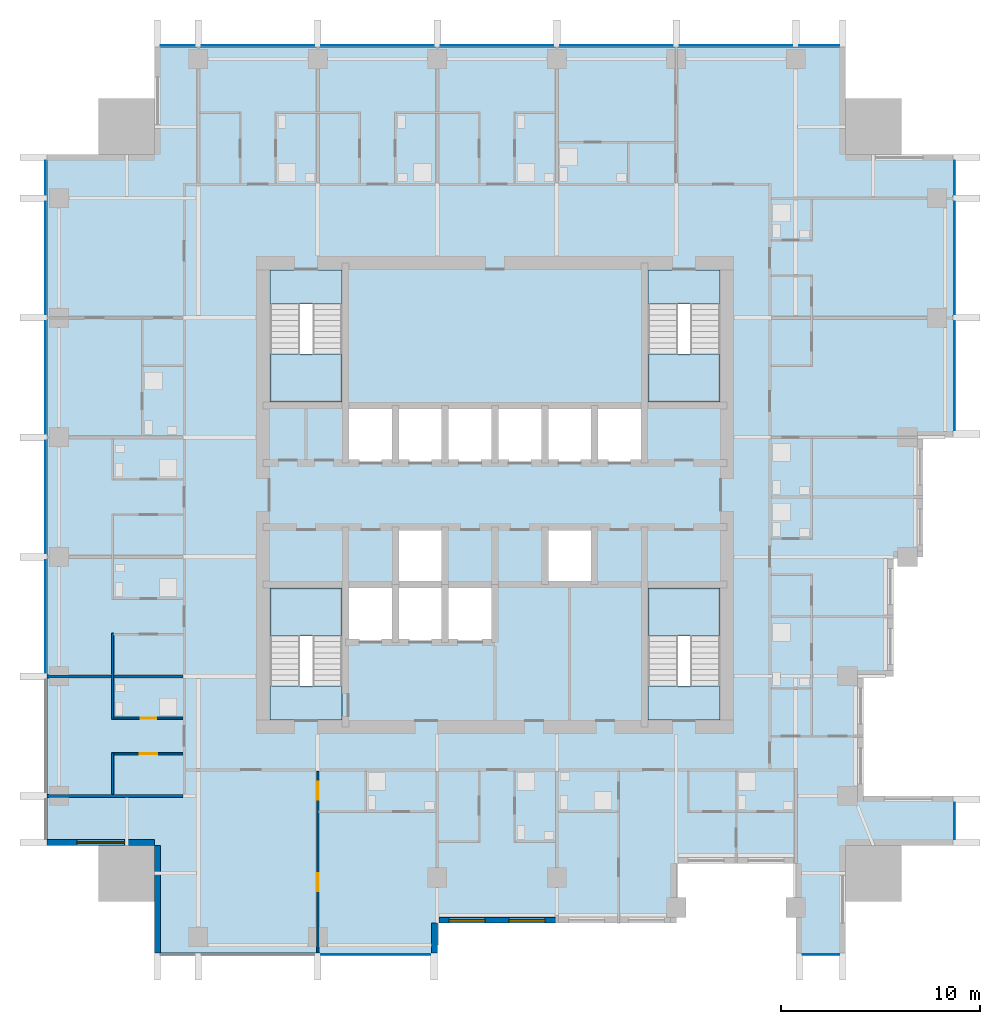
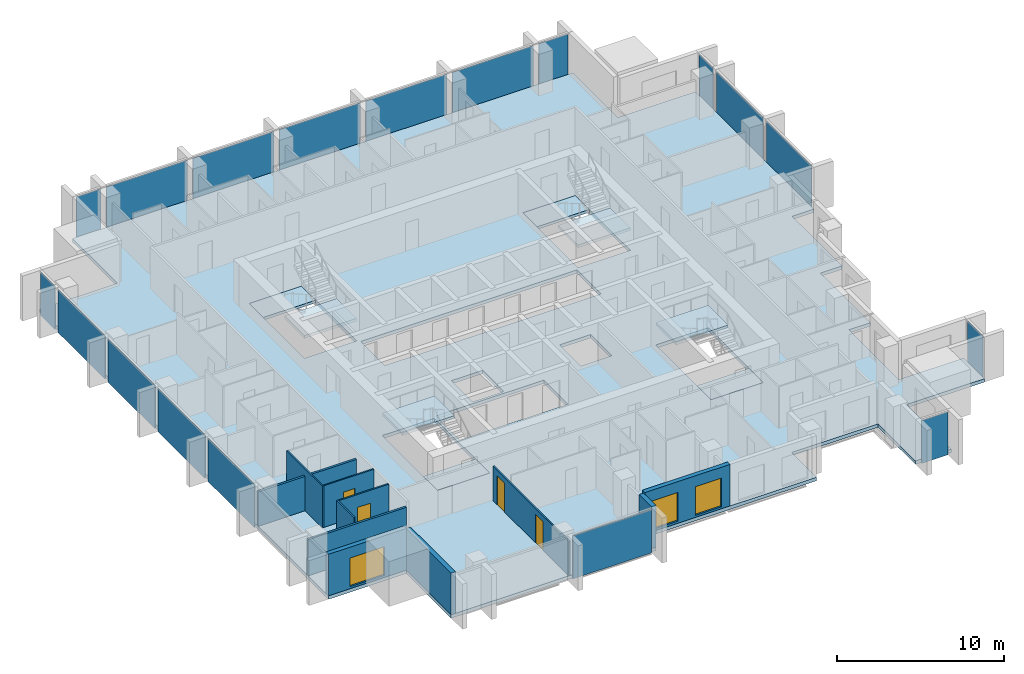
# One storey, part 3 of 11: 18 plates, 11 walls, 9 slabs, 4 doors, 3 windows, 7 openings, 10 elements without a shape of their own.
"""IFC4 building model written with IfcOpenShell, lengths in metres."""

from ifc_helpers import new_model, si_unit, direction, frame, frame_2d, origin, origin_2d, place, context, subcontext, project, spatial, polyline, rectangle, outline, extrude, material, layer, layer_set, type_object, element, fill, aggregate, save


model = new_model("IFC4")

# Units and contexts
model_context = context("Model", 3, precision=1e-05, world=origin(), true_north=direction((0.0, 1.0)))
body_context = subcontext(model_context, "Body", "Model", "MODEL_VIEW")
ifc_project = project(units=[si_unit("LENGTHUNIT", "METRE"), si_unit("AREAUNIT", "SQUARE_METRE"), si_unit("VOLUMEUNIT", "CUBIC_METRE"), si_unit("PLANEANGLEUNIT", "RADIAN"), si_unit("MASSUNIT", "GRAM", prefix="KILO")], contexts=[model_context])

# Site, building, storey
site_placement = place(None, origin())
site = spatial("IfcSite", under=ifc_project, at=site_placement, CompositionType="ELEMENT")
building_placement = place(site_placement, origin())
building = spatial("IfcBuilding", under=site, at=building_placement, Name="Amberfall Residences", CompositionType="ELEMENT")
storey_placement = place(building_placement, frame((0.0, 0.0, 161.5)))
storey = spatial("IfcBuildingStorey", under=building, at=storey_placement, Name="L43", CompositionType="ELEMENT", Elevation=161.5)

# Curtain wall, plate
ifc_material_1 = material(Name="Bronze anodised aluminium and glass", Category="aluminium")
curtain_wall_type = type_object("IfcCurtainWallType", Name="Curtain wall CW1 tower unit", PredefinedType="USERDEFINED", material=ifc_material_1)
curtain_wall_1_placement = place(storey_placement, origin())
curtain_wall_1 = element("IfcCurtainWall", 1, at=curtain_wall_1_placement, inside=storey, type_object=curtain_wall_type, Name="Curtain wall L43 S S1", ObjectType="UNITISED CURTAIN WALL", PredefinedType="USERDEFINED")
ifc_material_2 = material(Name="Tinted double glazed unit", Category="glass")
ifc_layer_1 = layer(ifc_material_2, 0.035888671875)
ifc_layer_set_1 = layer_set([ifc_layer_1], Name="CW1 panel 36 glazing")
plate_type = type_object("IfcPlateType", Name="CW1 panel 36 glazing", PredefinedType="CURTAIN_PANEL", material=ifc_layer_set_1)
plate_1_placement = place(storey_placement, frame((68.512451171875, 22.425048828125, -0.25), z_axis=(0.0, 0.0, 1.0), x_axis=(1.0, 0.0, 0.0)))
plate_1 = element("IfcPlate", 2, at=plate_1_placement, type_object=plate_type, Name="CW1 panel 3.1", PredefinedType="CURTAIN_PANEL", context=body_context, shape_type="SweptSolid", body=[
    extrude(rectangle(XDim=5.450927734375, YDim=0.035888671875, at=origin_2d()), origin(), (0.0, 0.0, 1.0), 3.14990234375),
])
aggregate(curtain_wall_1, [plate_1])

curtain_wall_2_placement = place(storey_placement, origin())
curtain_wall_2 = element("IfcCurtainWall", 3, at=curtain_wall_2_placement, inside=storey, type_object=curtain_wall_type, Name="Curtain wall L43 S S8", ObjectType="UNITISED CURTAIN WALL", PredefinedType="USERDEFINED")
plate_2_placement = place(storey_placement, frame((90.875, 22.425048828125, -0.25), z_axis=(0.0, 0.0, 1.0), x_axis=(1.0, 0.0, 0.0)))
plate_2 = element("IfcPlate", 4, at=plate_2_placement, type_object=plate_type, Name="CW1 panel 1.1", PredefinedType="CURTAIN_PANEL", context=body_context, shape_type="SweptSolid", body=[
    extrude(rectangle(XDim=1.825927734375, YDim=0.035888671875, at=origin_2d()), origin(), (0.0, 0.0, 1.0), 3.14990234375),
])
aggregate(curtain_wall_2, [plate_2])

curtain_wall_3_placement = place(storey_placement, origin())
curtain_wall_3 = element("IfcCurtainWall", 5, at=curtain_wall_3_placement, inside=storey, type_object=curtain_wall_type, Name="Curtain wall L43 E E1", ObjectType="UNITISED CURTAIN WALL", PredefinedType="USERDEFINED")
plate_3_placement = place(storey_placement, frame((97.574951171875, 29.125, -0.25), z_axis=(0.0, 0.0, 1.0), x_axis=(0.0, 1.0, 0.0)))
plate_3 = element("IfcPlate", 6, at=plate_3_placement, type_object=plate_type, Name="CW1 panel 1.1", PredefinedType="CURTAIN_PANEL", context=body_context, shape_type="SweptSolid", body=[
    extrude(rectangle(XDim=1.825927734375, YDim=0.035888671875, at=origin_2d()), origin(), (0.0, 0.0, 1.0), 3.14990234375),
])
aggregate(curtain_wall_3, [plate_3])

# Curtain wall, plates
curtain_wall_4_placement = place(storey_placement, origin())
curtain_wall_4 = element("IfcCurtainWall", 7, at=curtain_wall_4_placement, inside=storey, type_object=curtain_wall_type, Name="Curtain wall L43 E E9", ObjectType="UNITISED CURTAIN WALL", PredefinedType="USERDEFINED")
plate_4_placement = place(storey_placement, frame((97.574951171875, 51.487548828125, -0.25), z_axis=(0.0, 0.0, 1.0), x_axis=(0.0, 1.0, 0.0)))
plate_4 = element("IfcPlate", 8, at=plate_4_placement, type_object=plate_type, Name="CW1 panel 1.1", PredefinedType="CURTAIN_PANEL", context=body_context, shape_type="SweptSolid", body=[
    extrude(rectangle(XDim=5.450927734375, YDim=0.035888671875, at=origin_2d()), origin(), (0.0, 0.0, 1.0), 3.14990234375),
])
plate_5_placement = place(storey_placement, frame((97.574951171875, 57.39990234375, -0.25), z_axis=(0.0, 0.0, 1.0), x_axis=(0.0, 1.0, 0.0)))
plate_5 = element("IfcPlate", 9, at=plate_5_placement, type_object=plate_type, Name="CW1 panel 2.1", PredefinedType="CURTAIN_PANEL", context=body_context, shape_type="SweptSolid", body=[
    extrude(rectangle(XDim=5.6259765625, YDim=0.035888671875, at=origin_2d()), origin(), (0.0, 0.0, 1.0), 3.14990234375),
])
plate_6_placement = place(storey_placement, frame((97.574951171875, 61.4375, -0.25), z_axis=(0.0, 0.0, 1.0), x_axis=(0.0, 1.0, 0.0)))
plate_6 = element("IfcPlate", 10, at=plate_6_placement, type_object=plate_type, Name="CW1 panel 3.1", PredefinedType="CURTAIN_PANEL", context=body_context, shape_type="SweptSolid", body=[
    extrude(rectangle(XDim=1.700927734375, YDim=0.035888671875, at=origin_2d()), origin(), (0.0, 0.0, 1.0), 3.14990234375),
])
aggregate(curtain_wall_4, [plate_4, plate_5, plate_6])

curtain_wall_5_placement = place(storey_placement, origin())
curtain_wall_5 = element("IfcCurtainWall", 11, at=curtain_wall_5_placement, inside=storey, type_object=curtain_wall_type, Name="Curtain wall L43 N N1", ObjectType="UNITISED CURTAIN WALL", PredefinedType="USERDEFINED")
plate_7_placement = place(storey_placement, frame((90.78759765625, 68.074951171875, -0.25), z_axis=(0.0, 0.0, 1.0), x_axis=(-1.0, 0.0, 0.0)))
plate_7 = element("IfcPlate", 12, at=plate_7_placement, type_object=plate_type, Name="CW1 panel 1.1", PredefinedType="CURTAIN_PANEL", context=body_context, shape_type="SweptSolid", body=[
    extrude(rectangle(XDim=2.0009765625, YDim=0.035888671875, at=origin_2d()), origin(), (0.0, 0.0, 1.0), 3.14990234375),
])
plate_8_placement = place(storey_placement, frame((86.60009765625, 68.074951171875, -0.25), z_axis=(0.0, 0.0, 1.0), x_axis=(-1.0, 0.0, 0.0)))
plate_8 = element("IfcPlate", 13, at=plate_8_placement, type_object=plate_type, Name="CW1 panel 2.1", PredefinedType="CURTAIN_PANEL", context=body_context, shape_type="SweptSolid", body=[
    extrude(rectangle(XDim=5.6259765625, YDim=0.035888671875, at=origin_2d()), origin(), (0.0, 0.0, 1.0), 3.14990234375),
])
plate_9_placement = place(storey_placement, frame((80.60009765625, 68.074951171875, -0.25), z_axis=(0.0, 0.0, 1.0), x_axis=(-1.0, 0.0, 0.0)))
plate_9 = element("IfcPlate", 14, at=plate_9_placement, type_object=plate_type, Name="CW1 panel 3.1", PredefinedType="CURTAIN_PANEL", context=body_context, shape_type="SweptSolid", body=[
    extrude(rectangle(XDim=5.6259765625, YDim=0.035888671875, at=origin_2d()), origin(), (0.0, 0.0, 1.0), 3.14990234375),
])
plate_10_placement = place(storey_placement, frame((74.60009765625, 68.074951171875, -0.25), z_axis=(0.0, 0.0, 1.0), x_axis=(-1.0, 0.0, 0.0)))
plate_10 = element("IfcPlate", 15, at=plate_10_placement, type_object=plate_type, Name="CW1 panel 4.1", PredefinedType="CURTAIN_PANEL", context=body_context, shape_type="SweptSolid", body=[
    extrude(rectangle(XDim=5.6259765625, YDim=0.035888671875, at=origin_2d()), origin(), (0.0, 0.0, 1.0), 3.14990234375),
])
plate_11_placement = place(storey_placement, frame((68.60009765625, 68.074951171875, -0.25), z_axis=(0.0, 0.0, 1.0), x_axis=(-1.0, 0.0, 0.0)))
plate_11 = element("IfcPlate", 16, at=plate_11_placement, type_object=plate_type, Name="CW1 panel 5.1", PredefinedType="CURTAIN_PANEL", context=body_context, shape_type="SweptSolid", body=[
    extrude(rectangle(XDim=5.6259765625, YDim=0.035888671875, at=origin_2d()), origin(), (0.0, 0.0, 1.0), 3.14990234375),
])
plate_12_placement = place(storey_placement, frame((62.60009765625, 68.074951171875, -0.25), z_axis=(0.0, 0.0, 1.0), x_axis=(-1.0, 0.0, 0.0)))
plate_12 = element("IfcPlate", 17, at=plate_12_placement, type_object=plate_type, Name="CW1 panel 6.1", PredefinedType="CURTAIN_PANEL", context=body_context, shape_type="SweptSolid", body=[
    extrude(rectangle(XDim=5.6259765625, YDim=0.035888671875, at=origin_2d()), origin(), (0.0, 0.0, 1.0), 3.14990234375),
])
plate_13_placement = place(storey_placement, frame((58.5625, 68.074951171875, -0.25), z_axis=(0.0, 0.0, 1.0), x_axis=(-1.0, 0.0, 0.0)))
plate_13 = element("IfcPlate", 18, at=plate_13_placement, type_object=plate_type, Name="CW1 panel 7.1", PredefinedType="CURTAIN_PANEL", context=body_context, shape_type="SweptSolid", body=[
    extrude(rectangle(XDim=1.700927734375, YDim=0.035888671875, at=origin_2d()), origin(), (0.0, 0.0, 1.0), 3.14990234375),
])
aggregate(curtain_wall_5, [plate_7, plate_8, plate_9, plate_10, plate_11, plate_12, plate_13])

curtain_wall_6_placement = place(storey_placement, origin())
curtain_wall_6 = element("IfcCurtainWall", 19, at=curtain_wall_6_placement, inside=storey, type_object=curtain_wall_type, Name="Curtain wall L43 W W1", ObjectType="UNITISED CURTAIN WALL", PredefinedType="USERDEFINED")
plate_14_placement = place(storey_placement, frame((51.925048828125, 61.4375, -0.25), z_axis=(0.0, 0.0, 1.0), x_axis=(0.0, -1.0, 0.0)))
plate_14 = element("IfcPlate", 20, at=plate_14_placement, type_object=plate_type, Name="CW1 panel 1.1", PredefinedType="CURTAIN_PANEL", context=body_context, shape_type="SweptSolid", body=[
    extrude(rectangle(XDim=1.700927734375, YDim=0.035888671875, at=origin_2d()), origin(), (0.0, 0.0, 1.0), 3.14990234375),
])
plate_15_placement = place(storey_placement, frame((51.925048828125, 57.39990234375, -0.25), z_axis=(0.0, 0.0, 1.0), x_axis=(0.0, -1.0, 0.0)))
plate_15 = element("IfcPlate", 21, at=plate_15_placement, type_object=plate_type, Name="CW1 panel 2.1", PredefinedType="CURTAIN_PANEL", context=body_context, shape_type="SweptSolid", body=[
    extrude(rectangle(XDim=5.6259765625, YDim=0.035888671875, at=origin_2d()), origin(), (0.0, 0.0, 1.0), 3.14990234375),
])
plate_16_placement = place(storey_placement, frame((51.925048828125, 51.39990234375, -0.25), z_axis=(0.0, 0.0, 1.0), x_axis=(0.0, -1.0, 0.0)))
plate_16 = element("IfcPlate", 22, at=plate_16_placement, type_object=plate_type, Name="CW1 panel 3.1", PredefinedType="CURTAIN_PANEL", context=body_context, shape_type="SweptSolid", body=[
    extrude(rectangle(XDim=5.6259765625, YDim=0.035888671875, at=origin_2d()), origin(), (0.0, 0.0, 1.0), 3.14990234375),
])
plate_17_placement = place(storey_placement, frame((51.925048828125, 45.39990234375, -0.25), z_axis=(0.0, 0.0, 1.0), x_axis=(0.0, -1.0, 0.0)))
plate_17 = element("IfcPlate", 23, at=plate_17_placement, type_object=plate_type, Name="CW1 panel 4.1", PredefinedType="CURTAIN_PANEL", context=body_context, shape_type="SweptSolid", body=[
    extrude(rectangle(XDim=5.6259765625, YDim=0.035888671875, at=origin_2d()), origin(), (0.0, 0.0, 1.0), 3.14990234375),
])
plate_18_placement = place(storey_placement, frame((51.925048828125, 39.39990234375, -0.25), z_axis=(0.0, 0.0, 1.0), x_axis=(0.0, -1.0, 0.0)))
plate_18 = element("IfcPlate", 24, at=plate_18_placement, type_object=plate_type, Name="CW1 panel 5.1", PredefinedType="CURTAIN_PANEL", context=body_context, shape_type="SweptSolid", body=[
    extrude(rectangle(XDim=5.6259765625, YDim=0.035888671875, at=origin_2d()), origin(), (0.0, 0.0, 1.0), 3.14990234375),
])
aggregate(curtain_wall_6, [plate_14, plate_15, plate_16, plate_17, plate_18])

# Slab
ifc_material_3 = material(Name="Concrete C60", Category="concrete")
ifc_layer_2 = layer(ifc_material_3, 0.25)
ifc_layer_set_2 = layer_set([ifc_layer_2], Name="Floor slab 250 C60")
slab_type_1 = type_object("IfcSlabType", Name="Floor slab 250 C60", PredefinedType="FLOOR", material=ifc_layer_set_2)
slab_1_placement = place(storey_placement, frame((0.0, 0.0, -0.25)))
element("IfcSlab", 25, at=slab_1_placement, inside=storey, type_object=slab_type_1, Name="Floor slab S10 L43", PredefinedType="FLOOR", context=body_context, shape_type="SweptSolid", body=[
    extrude(outline(polyline([(89.60009765625, 22.5), (89.60009765625, 27.0), (83.60009765625, 27.0), (83.60009765625, 24.0), (77.60009765625, 24.0), (71.60009765625, 24.0), (71.60009765625, 22.5), (57.39990234375, 22.5), (57.39990234375, 27.89990234375), (52.0, 27.89990234375), (52.0, 62.60009765625), (57.39990234375, 62.60009765625), (57.39990234375, 68.0), (92.10009765625, 68.0), (92.10009765625, 62.60009765625), (97.5, 62.60009765625), (97.5, 48.39990234375), (96.0, 48.39990234375), (96.0, 42.39990234375), (94.5, 42.39990234375), (94.5, 36.39990234375), (93.0, 36.39990234375), (93.0, 30.39990234375), (97.5, 30.39990234375), (97.5, 27.89990234375), (92.10009765625, 27.89990234375), (92.10009765625, 22.5), (89.60009765625, 22.5)]), holes=[polyline([(85.800048828125, 34.199951171875), (85.800048828125, 40.824951171875), (82.175048828125, 40.824951171875), (82.175048828125, 34.199951171875), (85.800048828125, 34.199951171875)]), polyline([(85.800048828125, 50.175048828125), (85.800048828125, 56.800048828125), (82.175048828125, 56.800048828125), (82.175048828125, 50.175048828125), (85.800048828125, 50.175048828125)]), polyline([(72.0, 50.0), (69.5, 50.0), (67.0, 50.0), (67.0, 47.10009765625), (69.5, 47.10009765625), (72.0, 47.10009765625), (74.5, 47.10009765625), (77.0, 47.10009765625), (79.5, 47.10009765625), (82.0, 47.10009765625), (82.0, 50.0), (79.5, 50.0), (77.0, 50.0), (74.5, 50.0), (72.0, 50.0)]), polyline([(79.324951171875, 41.175048828125), (79.324951171875, 43.72509765625), (77.175048828125, 43.72509765625), (77.175048828125, 41.175048828125), (79.324951171875, 41.175048828125)]), polyline([(69.5, 41.0), (67.0, 41.0), (67.0, 38.10009765625), (69.5, 38.10009765625), (72.0, 38.10009765625), (74.5, 38.10009765625), (74.5, 41.0), (72.0, 41.0), (69.5, 41.0)]), polyline([(71.824951171875, 41.175048828125), (71.824951171875, 43.72509765625), (69.675048828125, 43.72509765625), (69.675048828125, 41.175048828125), (71.824951171875, 41.175048828125)]), polyline([(66.824951171875, 50.175048828125), (66.824951171875, 56.800048828125), (63.199951171875, 56.800048828125), (63.199951171875, 50.175048828125), (66.824951171875, 50.175048828125)]), polyline([(66.824951171875, 40.824951171875), (63.199951171875, 40.824951171875), (63.199951171875, 34.199951171875), (66.824951171875, 34.199951171875), (66.824951171875, 40.824951171875)])]), origin(), (0.0, 0.0, 1.0), 0.25),
])

# Stair, slabs
ifc_material_4 = material(Name="Concrete C40", Category="concrete")
stair_type = type_object("IfcStairType", Name="Exit stair 20 risers 165.0 mm", PredefinedType="HALF_TURN_STAIR", material=ifc_material_4)
stair_1_placement = place(storey_placement, origin())
stair_1 = element("IfcStair", 26, at=stair_1_placement, inside=storey, type_object=stair_type, Name="L43 Exit stair 1", PredefinedType="HALF_TURN_STAIR")
ifc_layer_3 = layer(ifc_material_4, 0.199951171875)
ifc_layer_set_3 = layer_set([ifc_layer_3], Name="Stair landing 200")
slab_type_2 = type_object("IfcSlabType", Name="Stair landing 200", PredefinedType="LANDING", material=ifc_layer_set_3)
slab_2_placement = place(storey_placement, frame((0.0, 0.0, 1.449951171875)))
slab_2 = element("IfcSlab", 27, at=slab_2_placement, type_object=slab_type_2, Name="ST3 landing 1", PredefinedType="LANDING", context=body_context, shape_type="SweptSolid", body=[
    extrude(outline(polyline([(66.824951171875, 38.419921875), (66.824951171875, 40.824951171875), (63.199951171875, 40.824951171875), (63.199951171875, 38.419921875), (66.824951171875, 38.419921875)])), origin(), (0.0, 0.0, 1.0), 0.199951171875),
])
slab_3_placement = place(storey_placement, frame((0.0, 0.0, -0.199951171875)))
slab_3 = element("IfcSlab", 28, at=slab_3_placement, type_object=slab_type_2, Name="ST3 landing 2", PredefinedType="LANDING", context=body_context, shape_type="SweptSolid", body=[
    extrude(outline(polyline([(66.824951171875, 34.199951171875), (66.824951171875, 35.89990234375), (63.199951171875, 35.89990234375), (63.199951171875, 34.199951171875), (66.824951171875, 34.199951171875)])), origin(), (0.0, 0.0, 1.0), 0.199951171875),
])
aggregate(stair_1, [slab_2, slab_3])

stair_2_placement = place(storey_placement, origin())
stair_2 = element("IfcStair", 29, at=stair_2_placement, inside=storey, type_object=stair_type, Name="L43 Exit stair 2", PredefinedType="HALF_TURN_STAIR")
slab_4_placement = place(storey_placement, frame((0.0, 0.0, 1.449951171875)))
slab_4 = element("IfcSlab", 30, at=slab_4_placement, type_object=slab_type_2, Name="ST3 landing 1", PredefinedType="LANDING", context=body_context, shape_type="SweptSolid", body=[
    extrude(outline(polyline([(85.800048828125, 38.419921875), (85.800048828125, 40.824951171875), (82.175048828125, 40.824951171875), (82.175048828125, 38.419921875), (85.800048828125, 38.419921875)])), origin(), (0.0, 0.0, 1.0), 0.199951171875),
])
slab_5_placement = place(storey_placement, frame((0.0, 0.0, -0.199951171875)))
slab_5 = element("IfcSlab", 31, at=slab_5_placement, type_object=slab_type_2, Name="ST3 landing 2", PredefinedType="LANDING", context=body_context, shape_type="SweptSolid", body=[
    extrude(outline(polyline([(85.800048828125, 34.199951171875), (85.800048828125, 35.89990234375), (82.175048828125, 35.89990234375), (82.175048828125, 34.199951171875), (85.800048828125, 34.199951171875)])), origin(), (0.0, 0.0, 1.0), 0.199951171875),
])
aggregate(stair_2, [slab_4, slab_5])

stair_3_placement = place(storey_placement, origin())
stair_3 = element("IfcStair", 32, at=stair_3_placement, inside=storey, type_object=stair_type, Name="L43 Exit stair 3", PredefinedType="HALF_TURN_STAIR")
slab_6_placement = place(storey_placement, frame((0.0, 0.0, 1.449951171875)))
slab_6 = element("IfcSlab", 33, at=slab_6_placement, type_object=slab_type_2, Name="ST3 landing 1", PredefinedType="LANDING", context=body_context, shape_type="SweptSolid", body=[
    extrude(outline(polyline([(82.175048828125, 52.580078125), (82.175048828125, 50.175048828125), (85.800048828125, 50.175048828125), (85.800048828125, 52.580078125), (82.175048828125, 52.580078125)])), origin(), (0.0, 0.0, 1.0), 0.199951171875),
])
slab_7_placement = place(storey_placement, frame((0.0, 0.0, -0.199951171875)))
slab_7 = element("IfcSlab", 34, at=slab_7_placement, type_object=slab_type_2, Name="ST3 landing 2", PredefinedType="LANDING", context=body_context, shape_type="SweptSolid", body=[
    extrude(outline(polyline([(82.175048828125, 56.800048828125), (82.175048828125, 55.10009765625), (85.800048828125, 55.10009765625), (85.800048828125, 56.800048828125), (82.175048828125, 56.800048828125)])), origin(), (0.0, 0.0, 1.0), 0.199951171875),
])
aggregate(stair_3, [slab_6, slab_7])

stair_4_placement = place(storey_placement, origin())
stair_4 = element("IfcStair", 35, at=stair_4_placement, inside=storey, type_object=stair_type, Name="L43 Exit stair 4", PredefinedType="HALF_TURN_STAIR")
slab_8_placement = place(storey_placement, frame((0.0, 0.0, 1.449951171875)))
slab_8 = element("IfcSlab", 36, at=slab_8_placement, type_object=slab_type_2, Name="ST3 landing 1", PredefinedType="LANDING", context=body_context, shape_type="SweptSolid", body=[
    extrude(outline(polyline([(63.199951171875, 52.580078125), (63.199951171875, 50.175048828125), (66.824951171875, 50.175048828125), (66.824951171875, 52.580078125), (63.199951171875, 52.580078125)])), origin(), (0.0, 0.0, 1.0), 0.199951171875),
])
slab_9_placement = place(storey_placement, frame((0.0, 0.0, -0.199951171875)))
slab_9 = element("IfcSlab", 37, at=slab_9_placement, type_object=slab_type_2, Name="ST3 landing 2", PredefinedType="LANDING", context=body_context, shape_type="SweptSolid", body=[
    extrude(outline(polyline([(63.199951171875, 56.800048828125), (63.199951171875, 55.10009765625), (66.824951171875, 55.10009765625), (66.824951171875, 56.800048828125), (63.199951171875, 56.800048828125)])), origin(), (0.0, 0.0, 1.0), 0.199951171875),
])
aggregate(stair_4, [slab_8, slab_9])

# Wall
ifc_material_5 = material(Name="Pale stone cladding on insulated backing", Category="masonry")
ifc_layer_4 = layer(ifc_material_5, 0.300048828125)
ifc_layer_set_4 = layer_set([ifc_layer_4], Name="Bronze clad wall 300")
wall_type_1 = type_object("IfcWallType", Name="Bronze clad wall 300", PredefinedType="SOLIDWALL", material=ifc_layer_set_4)
wall_1_placement = place(storey_placement, frame((71.449951171875, 22.5, 0.0), z_axis=(0.0, 0.0, 1.0), x_axis=(0.0, 1.0, 0.0)))
element("IfcWall", 38, at=wall_1_placement, inside=storey, type_object=wall_type_1, Name="External wall L43 S", PredefinedType="SOLIDWALL", context=body_context, shape_type="SweptSolid", body=[
    extrude(rectangle(XDim=1.5, YDim=0.300048828125, at=frame_2d((0.75, 0.0))), origin(), (0.0, 0.0, 1.0), 3.050048828125),
])

# Wall, opening, window
wall_2_placement = place(storey_placement, frame((52.0, 28.050048828125, 0.0), z_axis=(0.0, 0.0, 1.0), x_axis=(1.0, 0.0, 0.0)))
wall_2 = element("IfcWall", 39, at=wall_2_placement, inside=storey, type_object=wall_type_1, Name="External wall L43 SW", PredefinedType="SOLIDWALL", context=body_context, shape_type="SweptSolid", body=[
    extrude(rectangle(XDim=5.39990234375, YDim=0.300048828125, at=frame_2d((2.699951171875, 0.0))), origin(), (0.0, 0.0, 1.0), 3.050048828125),
])
opening_1_placement = place(wall_2_placement, frame((1.5, 0.0, 0.14990234375)))
opening_1 = element("IfcOpeningElement", 40, at=opening_1_placement, cuts=wall_2, Name="Opening WN5", PredefinedType="OPENING", context=body_context, shape_type="SweptSolid", body=[
    extrude(rectangle(XDim=2.39990234375, YDim=2.10009765625, at=frame_2d((1.199951171875, 1.050048828125))), frame((0.0, 0.159912109375, 0.0), z_axis=(0.0, -1.0, 0.0), x_axis=(1.0, 0.0, 0.0)), (0.0, 0.0, 1.0), 0.320068359375),
])
ifc_material_6 = material(Name="Bronze aluminium framed glazing", Category="aluminium")
window_type_1 = type_object("IfcWindowType", Name="Glazed opening 2400 x 2100 bronze", PartitioningType="DOUBLE_PANEL_VERTICAL", PredefinedType="WINDOW", material=ifc_material_6)
window_1_placement = place(opening_1_placement, origin())
window_1 = element("IfcWindow", 41, at=window_1_placement, inside=storey, type_object=window_type_1, Name="Window L43 SW", OverallHeight=2.10009765625, OverallWidth=2.39990234375, PartitioningType="DOUBLE_PANEL_VERTICAL", PredefinedType="WINDOW", context=body_context, shape_type="SweptSolid", body=[
    extrude(rectangle(XDim=2.39990234375, YDim=2.10009765625, at=frame_2d((1.199951171875, 1.050048828125))), frame((0.0, 0.030029296875, 0.0), z_axis=(0.0, -1.0, 0.0), x_axis=(1.0, 0.0, 0.0)), (0.0, 0.0, 1.0), 0.06005859375),
])
fill(opening_1, window_1)

# Wall
wall_3_placement = place(storey_placement, frame((57.550048828125, 27.89990234375, 0.0), z_axis=(0.0, 0.0, 1.0), x_axis=(0.0, -1.0, 0.0)))
element("IfcWall", 42, at=wall_3_placement, inside=storey, type_object=wall_type_1, Name="External wall L43 SW", PredefinedType="SOLIDWALL", context=body_context, shape_type="SweptSolid", body=[
    extrude(rectangle(XDim=5.39990234375, YDim=0.300048828125, at=frame_2d((2.699951171875, 0.0))), origin(), (0.0, 0.0, 1.0), 3.050048828125),
])

# Wall, openings, windows
wall_4_placement = place(storey_placement, frame((71.68994140625, 24.14990234375, 0.0), z_axis=(0.0, 0.0, 1.0), x_axis=(1.0, 0.0, 0.0)))
wall_4 = element("IfcWall", 43, at=wall_4_placement, inside=storey, type_object=wall_type_1, Name="Stone wall L43 S", PredefinedType="SOLIDWALL", context=body_context, shape_type="SweptSolid", body=[
    extrude(rectangle(XDim=5.91015625, YDim=0.300048828125, at=frame_2d((2.955078125, 0.0))), origin(), (0.0, 0.0, 1.0), 3.050048828125),
])
opening_2_placement = place(wall_4_placement, frame((0.510009765625, 0.0, 0.14990234375)))
opening_2 = element("IfcOpeningElement", 44, at=opening_2_placement, cuts=wall_4, Name="Opening WN6", PredefinedType="OPENING", context=body_context, shape_type="SweptSolid", body=[
    extrude(rectangle(XDim=1.800048828125, YDim=2.10009765625, at=frame_2d((0.89990234375, 1.050048828125))), frame((0.0, 0.159912109375, 0.0), z_axis=(0.0, -1.0, 0.0), x_axis=(1.0, 0.0, 0.0)), (0.0, 0.0, 1.0), 0.320068359375),
])
opening_3_placement = place(wall_4_placement, frame((3.510009765625, 0.0, 0.14990234375)))
opening_3 = element("IfcOpeningElement", 45, at=opening_3_placement, cuts=wall_4, Name="Opening WN6", PredefinedType="OPENING", context=body_context, shape_type="SweptSolid", body=[
    extrude(rectangle(XDim=1.800048828125, YDim=2.10009765625, at=frame_2d((0.89990234375, 1.050048828125))), frame((0.0, 0.159912109375, 0.0), z_axis=(0.0, -1.0, 0.0), x_axis=(1.0, 0.0, 0.0)), (0.0, 0.0, 1.0), 0.320068359375),
])
window_type_2 = type_object("IfcWindowType", Name="Glazed opening 1800 x 2100 bronze", PartitioningType="DOUBLE_PANEL_VERTICAL", PredefinedType="WINDOW", material=ifc_material_6)
window_2_placement = place(opening_2_placement, origin())
window_2 = element("IfcWindow", 46, at=window_2_placement, inside=storey, type_object=window_type_2, Name="Window L43 S", OverallHeight=2.10009765625, OverallWidth=1.800048828125, PartitioningType="DOUBLE_PANEL_VERTICAL", PredefinedType="WINDOW", context=body_context, shape_type="SweptSolid", body=[
    extrude(rectangle(XDim=1.800048828125, YDim=2.10009765625, at=frame_2d((0.89990234375, 1.050048828125))), frame((0.0, 0.030029296875, 0.0), z_axis=(0.0, -1.0, 0.0), x_axis=(1.0, 0.0, 0.0)), (0.0, 0.0, 1.0), 0.06005859375),
])
fill(opening_2, window_2)
window_3_placement = place(opening_3_placement, origin())
window_3 = element("IfcWindow", 47, at=window_3_placement, inside=storey, type_object=window_type_2, Name="Window L43 S", OverallHeight=2.10009765625, OverallWidth=1.800048828125, PartitioningType="DOUBLE_PANEL_VERTICAL", PredefinedType="WINDOW", context=body_context, shape_type="SweptSolid", body=[
    extrude(rectangle(XDim=1.800048828125, YDim=2.10009765625, at=frame_2d((0.89990234375, 1.050048828125))), frame((0.0, 0.030029296875, 0.0), z_axis=(0.0, -1.0, 0.0), x_axis=(1.0, 0.0, 0.0)), (0.0, 0.0, 1.0), 0.06005859375),
])
fill(opening_3, window_3)

# Walls
ifc_material_7 = material(Name="Gypsum board on metal stud")
ifc_layer_5 = layer(ifc_material_7, 0.10009765625)
ifc_layer_set_5 = layer_set([ifc_layer_5], Name="Flat partition 100")
wall_type_2 = type_object("IfcWallType", Name="Flat partition 100", PredefinedType="PARTITIONING", material=ifc_layer_set_5)
wall_5_placement = place(storey_placement, frame((55.300048828125, 30.47509765625, 0.0), z_axis=(0.0, 0.0, 1.0), x_axis=(0.0, 1.0, 0.0)))
element("IfcWall", 48, at=wall_5_placement, inside=storey, type_object=wall_type_2, Name="Partition 001", PredefinedType="PARTITIONING", context=body_context, shape_type="SweptSolid", body=[
    extrude(rectangle(XDim=2.074951171875, YDim=0.10009765625, at=frame_2d((1.03759765625, 0.0))), origin(), (0.0, 0.0, 1.0), 3.050048828125),
])
wall_6_placement = place(storey_placement, frame((55.300048828125, 34.25, 0.0), z_axis=(0.0, 0.0, 1.0), x_axis=(0.0, 1.0, 0.0)))
element("IfcWall", 49, at=wall_6_placement, inside=storey, type_object=wall_type_2, Name="Partition 002", PredefinedType="PARTITIONING", context=body_context, shape_type="SweptSolid", body=[
    extrude(rectangle(XDim=4.300048828125, YDim=0.10009765625, at=frame_2d((2.14990234375, 0.0))), origin(), (0.0, 0.0, 1.0), 3.050048828125),
])

# Wall, openings, doors
wall_7_placement = place(storey_placement, frame((65.60009765625, 31.625, 0.0), z_axis=(0.0, 0.0, 1.0), x_axis=(0.0, -1.0, 0.0)))
wall_7 = element("IfcWall", 50, at=wall_7_placement, inside=storey, type_object=wall_type_2, Name="Partition 008", PredefinedType="PARTITIONING", context=body_context, shape_type="SweptSolid", body=[
    extrude(rectangle(XDim=9.125, YDim=0.10009765625, at=frame_2d((4.5625, 0.0))), origin(), (0.0, 0.0, 1.0), 2.51611328125),
])
opening_4_placement = place(wall_7_placement, frame((0.52490234375, 0.0, 0.0)))
opening_4 = element("IfcOpeningElement", 51, at=opening_4_placement, cuts=wall_7, Name="Opening D41", PredefinedType="OPENING", context=body_context, shape_type="SweptSolid", body=[
    extrude(rectangle(XDim=0.89990234375, YDim=2.10009765625, at=frame_2d((0.449951171875, 1.050048828125))), frame((0.0, 0.06005859375, 0.0), z_axis=(0.0, -1.0, 0.0), x_axis=(1.0, 0.0, 0.0)), (0.0, 0.0, 1.0), 0.1201171875),
])
opening_5_placement = place(wall_7_placement, frame((5.125, 0.0, 0.0)))
opening_5 = element("IfcOpeningElement", 52, at=opening_5_placement, cuts=wall_7, Name="Opening D41", PredefinedType="OPENING", context=body_context, shape_type="SweptSolid", body=[
    extrude(rectangle(XDim=0.89990234375, YDim=2.10009765625, at=frame_2d((0.449951171875, 1.050048828125))), frame((0.0, 0.06005859375, 0.0), z_axis=(0.0, -1.0, 0.0), x_axis=(1.0, 0.0, 0.0)), (0.0, 0.0, 1.0), 0.1201171875),
])
ifc_material_8 = material(Name="Timber", Category="wood")
door_type_1 = type_object("IfcDoorType", Name="Internal door 900 x 2100", OperationType="SINGLE_SWING_LEFT", PredefinedType="DOOR", material=ifc_material_8)
door_1_placement = place(opening_4_placement, origin())
door_1 = element("IfcDoor", 53, at=door_1_placement, inside=storey, type_object=door_type_1, Name="Door 4301 kitchen", OperationType="SINGLE_SWING_LEFT", OverallHeight=2.10009765625, OverallWidth=0.89990234375, PredefinedType="DOOR", context=body_context, shape_type="SweptSolid", body=[
    extrude(rectangle(XDim=0.89990234375, YDim=2.10009765625, at=frame_2d((0.449951171875, 1.050048828125))), frame((0.0, 0.02490234375, 0.0), z_axis=(0.0, -1.0, 0.0), x_axis=(1.0, 0.0, 0.0)), (0.0, 0.0, 1.0), 0.050048828125),
])
fill(opening_4, door_1)
door_2_placement = place(opening_5_placement, origin())
door_2 = element("IfcDoor", 54, at=door_2_placement, inside=storey, type_object=door_type_1, Name="Door 4301 bedroom1", OperationType="SINGLE_SWING_LEFT", OverallHeight=2.10009765625, OverallWidth=0.89990234375, PredefinedType="DOOR", context=body_context, shape_type="SweptSolid", body=[
    extrude(rectangle(XDim=0.89990234375, YDim=2.10009765625, at=frame_2d((0.449951171875, 1.050048828125))), frame((0.0, 0.02490234375, 0.0), z_axis=(0.0, -1.0, 0.0), x_axis=(1.0, 0.0, 0.0)), (0.0, 0.0, 1.0), 0.050048828125),
])
fill(opening_5, door_2)

# Wall, opening, door
wall_8_placement = place(storey_placement, frame((55.35009765625, 34.300048828125, 0.0), z_axis=(0.0, 0.0, 1.0), x_axis=(1.0, 0.0, 0.0)))
wall_8 = element("IfcWall", 55, at=wall_8_placement, inside=storey, type_object=wall_type_2, Name="Partition 043", PredefinedType="PARTITIONING", context=body_context, shape_type="SweptSolid", body=[
    extrude(rectangle(XDim=3.474853515625, YDim=0.10009765625, at=frame_2d((1.7373046875, 0.0))), origin(), (0.0, 0.0, 1.0), 3.050048828125),
])
opening_6_placement = place(wall_8_placement, frame((1.35009765625, 0.0, 0.0)))
opening_6 = element("IfcOpeningElement", 56, at=opening_6_placement, cuts=wall_8, Name="Opening D42", PredefinedType="OPENING", context=body_context, shape_type="SweptSolid", body=[
    extrude(rectangle(XDim=0.800048828125, YDim=2.10009765625, at=frame_2d((0.39990234375, 1.050048828125))), frame((0.0, 0.06005859375, 0.0), z_axis=(0.0, -1.0, 0.0), x_axis=(1.0, 0.0, 0.0)), (0.0, 0.0, 1.0), 0.1201171875),
])
door_type_2 = type_object("IfcDoorType", Name="Bathroom door 800 x 2100", OperationType="SINGLE_SWING_LEFT", PredefinedType="DOOR", material=ifc_material_8)
door_3_placement = place(opening_6_placement, origin())
door_3 = element("IfcDoor", 57, at=door_3_placement, inside=storey, type_object=door_type_2, Name="Door 4312 bath1", OperationType="SINGLE_SWING_LEFT", OverallHeight=2.10009765625, OverallWidth=0.800048828125, PredefinedType="DOOR", context=body_context, shape_type="SweptSolid", body=[
    extrude(rectangle(XDim=0.800048828125, YDim=2.10009765625, at=frame_2d((0.39990234375, 1.050048828125))), frame((0.0, 0.02490234375, 0.0), z_axis=(0.0, -1.0, 0.0), x_axis=(1.0, 0.0, 0.0)), (0.0, 0.0, 1.0), 0.050048828125),
])
fill(opening_6, door_3)

wall_9_placement = place(storey_placement, frame((58.824951171875, 32.5, 0.0), z_axis=(0.0, 0.0, 1.0), x_axis=(-1.0, 0.0, 0.0)))
wall_9 = element("IfcWall", 58, at=wall_9_placement, inside=storey, type_object=wall_type_2, Name="Partition 045", PredefinedType="PARTITIONING", context=body_context, shape_type="SweptSolid", body=[
    extrude(rectangle(XDim=3.474853515625, YDim=0.10009765625, at=frame_2d((1.7373046875, 0.0))), origin(), (0.0, 0.0, 1.0), 3.050048828125),
])
opening_7_placement = place(wall_9_placement, frame((1.27490234375, 0.0, 0.0)))
opening_7 = element("IfcOpeningElement", 59, at=opening_7_placement, cuts=wall_9, Name="Opening D41", PredefinedType="OPENING", context=body_context, shape_type="SweptSolid", body=[
    extrude(rectangle(XDim=0.89990234375, YDim=2.10009765625, at=frame_2d((0.449951171875, 1.050048828125))), frame((0.0, 0.06005859375, 0.0), z_axis=(0.0, -1.0, 0.0), x_axis=(1.0, 0.0, 0.0)), (0.0, 0.0, 1.0), 0.1201171875),
])
door_4_placement = place(opening_7_placement, origin())
door_4 = element("IfcDoor", 60, at=door_4_placement, inside=storey, type_object=door_type_1, Name="Door 4312 kitchen", OperationType="SINGLE_SWING_LEFT", OverallHeight=2.10009765625, OverallWidth=0.89990234375, PredefinedType="DOOR", context=body_context, shape_type="SweptSolid", body=[
    extrude(rectangle(XDim=0.89990234375, YDim=2.10009765625, at=frame_2d((0.449951171875, 1.050048828125))), frame((0.0, 0.02490234375, 0.0), z_axis=(0.0, -1.0, 0.0), x_axis=(1.0, 0.0, 0.0)), (0.0, 0.0, 1.0), 0.050048828125),
])
fill(opening_7, door_4)

# Walls
ifc_material_9 = material(Name="Blockwork, plastered", Category="masonry")
ifc_layer_6 = layer(ifc_material_9, 0.14990234375)
ifc_layer_set_6 = layer_set([ifc_layer_6], Name="Flat separating wall 150")
wall_type_3 = type_object("IfcWallType", Name="Flat separating wall 150", PredefinedType="PARTITIONING", material=ifc_layer_set_6)
wall_10_placement = place(storey_placement, frame((52.0, 36.39990234375, 0.0), z_axis=(0.0, 0.0, 1.0), x_axis=(1.0, 0.0, 0.0)))
element("IfcWall", 61, at=wall_10_placement, inside=storey, type_object=wall_type_3, Name="Separating wall 067", PredefinedType="PARTITIONING", context=body_context, shape_type="SweptSolid", body=[
    extrude(rectangle(XDim=6.824951171875, YDim=0.14990234375, at=frame_2d((3.41259765625, 0.0))), origin(), (0.0, 0.0, 1.0), 2.51611328125),
])
wall_11_placement = place(storey_placement, frame((52.0, 30.39990234375, 0.0), z_axis=(0.0, 0.0, 1.0), x_axis=(1.0, 0.0, 0.0)))
element("IfcWall", 62, at=wall_11_placement, inside=storey, type_object=wall_type_3, Name="Separating wall 069", PredefinedType="PARTITIONING", context=body_context, shape_type="SweptSolid", body=[
    extrude(rectangle(XDim=6.824951171875, YDim=0.14990234375, at=frame_2d((3.41259765625, 0.0))), origin(), (0.0, 0.0, 1.0), 2.64697265625),
])

save(model, "model.ifc")
